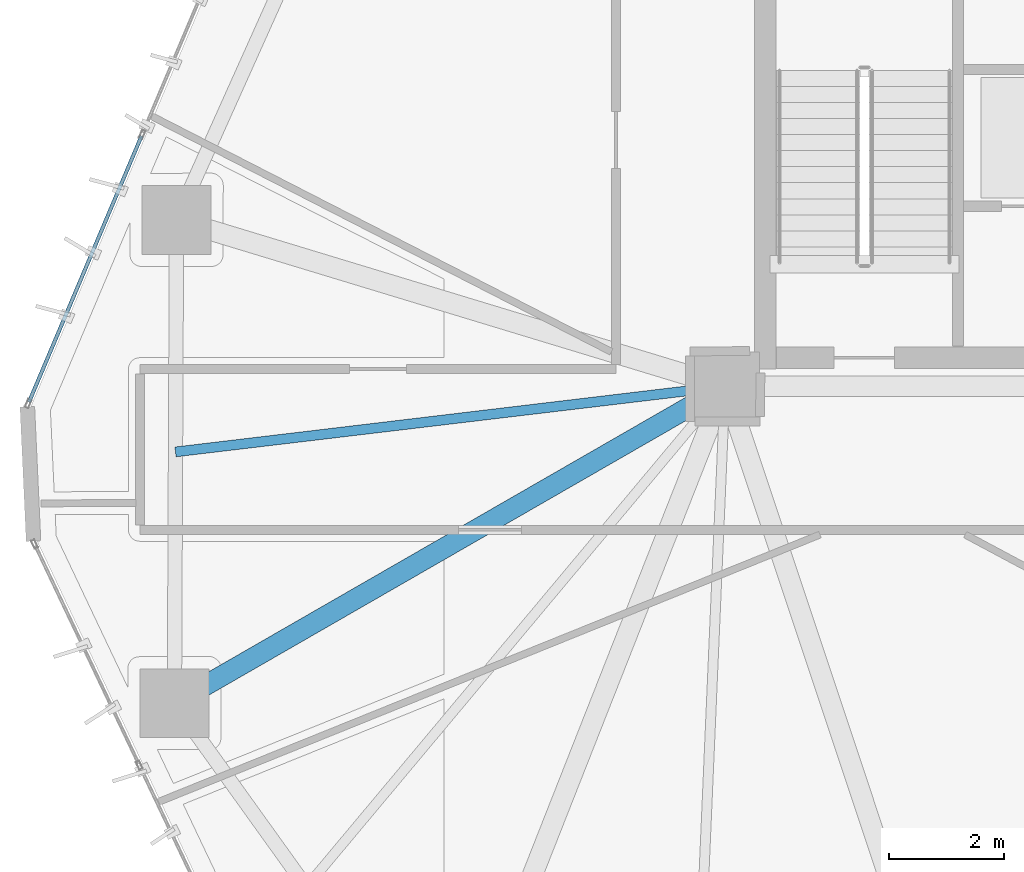
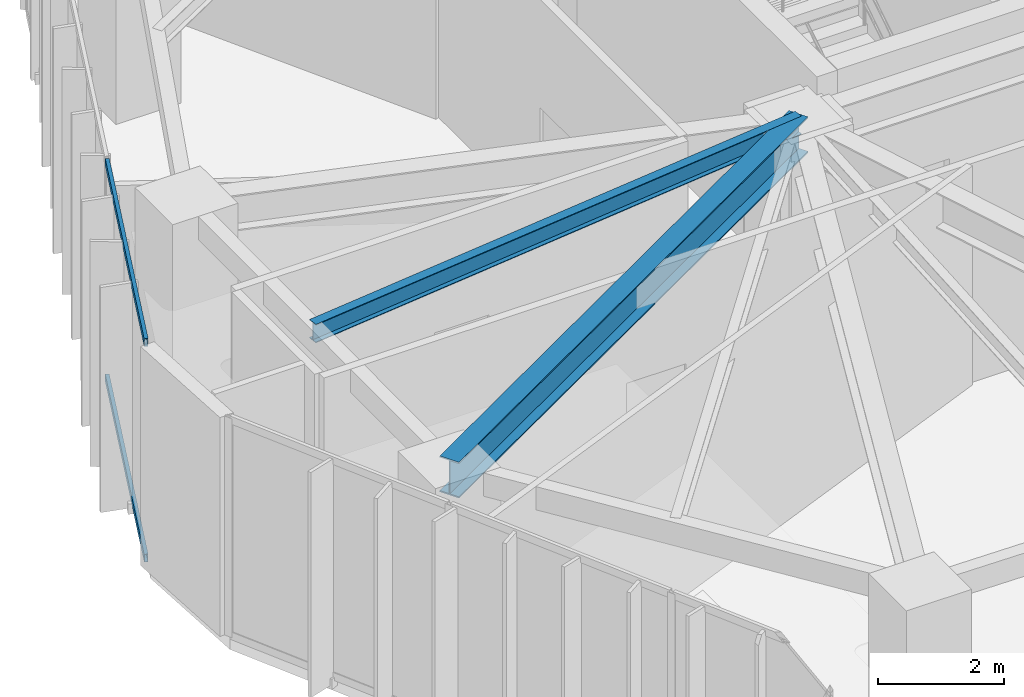
# One storey, part 10 of 28: 2 beams, 2 members, 1 element without a shape of its own.
"""IFC4 building model written with IfcOpenShell, lengths in metres."""

from ifc_helpers import new_model, si_unit, direction, frame, origin, origin_2d, place, context, subcontext, project, spatial, hollow_rectangle, i_section, extrude, source, transform, mapped, material, layer, layer_set, material_profile, profile_set, type_object, type_shapes, element, aggregate, save


model = new_model("IFC4")

# Units and contexts
model_context = context("Model", 3, precision=1e-05, world=origin(), true_north=direction((0.0, 1.0)))
body_context = subcontext(model_context, "Body", "Model", "MODEL_VIEW")
ifc_project = project(units=[si_unit("LENGTHUNIT", "METRE"), si_unit("AREAUNIT", "SQUARE_METRE"), si_unit("VOLUMEUNIT", "CUBIC_METRE"), si_unit("PLANEANGLEUNIT", "RADIAN"), si_unit("MASSUNIT", "GRAM", prefix="KILO")], contexts=[model_context])

# Site, building, storey
site_placement = place(None, origin())
site = spatial("IfcSite", under=ifc_project, at=site_placement, CompositionType="ELEMENT")
building_placement = place(site_placement, origin())
building = spatial("IfcBuilding", under=site, at=building_placement, Name="Talar Marvaseh", CompositionType="ELEMENT")
storey_placement = place(building_placement, frame((0.0, 0.0, 157.800048828125)))
storey = spatial("IfcBuildingStorey", under=building, at=storey_placement, Name="L41", CompositionType="ELEMENT", Elevation=157.800048828125)

# Beams
ifc_material_1 = material(Name="Steel S355", Category="steel")
ifc_material_profile_1 = material_profile(ifc_material_1, i_section(OverallWidth=0.35498046875, OverallDepth=0.695068359375, WebThickness=0.015380859375, FlangeThickness=0.02490234375, at=origin_2d()), Name="W690x217")
ifc_profile_set_1 = profile_set([ifc_material_profile_1], Name="Steel S355")
beam_type_1 = type_object("IfcBeamType", Name="Zone 2 Radial Floor Girder W690x217", PredefinedType="BEAM", material=ifc_profile_set_1)
beam_1_placement = place(storey_placement, frame((9.10107421875, 19.97705078125, 3.90234375), z_axis=(0.866765990926, 0.498715065919, 0.0), x_axis=(-0.498715065919, 0.866765990926, 0.0)))
element("IfcBeam", 1, at=beam_1_placement, inside=storey, type_object=beam_type_1, Name="L41 Zone 2 Radial Floor Girder W690x217", PredefinedType="BEAM", context=body_context, shape_type="SweptSolid", body=[
    extrude(i_section(OverallWidth=0.35498046875, OverallDepth=0.695068359375, WebThickness=0.015380859375, FlangeThickness=0.02490234375, at=origin_2d()), origin(), (0.0, 0.0, 1.0), 11.074462890625),
])
ifc_material_profile_2 = material_profile(ifc_material_1, i_section(OverallWidth=0.172119140625, OverallDepth=0.35791015625, WebThickness=0.0078125, FlangeThickness=0.01318359375, at=origin_2d()), Name="W360x57")
ifc_profile_set_2 = profile_set([ifc_material_profile_2], Name="Steel S355")
beam_type_2 = type_object("IfcBeamType", Name="Zone 2 Secondary Floor Joist W360x57", PredefinedType="JOIST", material=ifc_profile_set_2)
beam_2_placement = place(storey_placement, frame((9.1201171875, 24.35791015625, 4.071044921875), z_axis=(0.992968386245, 0.118379829018, 0.0), x_axis=(-0.118379829018, 0.992968386245, 0.0)))
element("IfcBeam", 2, at=beam_2_placement, inside=storey, type_object=beam_type_2, Name="L41 Zone 2 Secondary Floor Joist W360x57", PredefinedType="JOIST", context=body_context, shape_type="SweptSolid", body=[
    extrude(i_section(OverallWidth=0.172119140625, OverallDepth=0.35791015625, WebThickness=0.0078125, FlangeThickness=0.01318359375, at=origin_2d()), origin(), (0.0, 0.0, 1.0), 9.647705078125),
])

# Curtain wall, members
ifc_material_2 = material(Name="Architectural Aluminium", Category="aluminium")
ifc_layer = layer(ifc_material_2, 0.239990234375)
ifc_layer_set = layer_set([ifc_layer], Name="Architectural Aluminium")
curtain_wall_type = type_object("IfcCurtainWallType", Name="Observation Sky Gallery Structural Glass Wall", PredefinedType="NOTDEFINED", material=ifc_layer_set)
curtain_wall_placement = place(storey_placement, origin())
curtain_wall = element("IfcCurtainWall", 3, at=curtain_wall_placement, inside=storey, type_object=curtain_wall_type, Name="L41 Observation Sky Gallery Structural Glass Wall", PredefinedType="NOTDEFINED")
ifc_material_profile_3 = material_profile(ifc_material_2, hollow_rectangle(XDim=0.06494140625, YDim=0.14990234375, WallThickness=0.00390625, at=origin_2d()), Name="RHS150x65x4")
ifc_profile_set_3 = profile_set([ifc_material_profile_3], Name="Architectural Aluminium")
member_type = type_object("IfcMemberType", Name="Unitised Curtain Wall Slim Transom RHS150x65x4", PredefinedType="USERDEFINED", material=ifc_profile_set_3)
shared_shape = source(origin(), body_context, "Body", "SweptSolid", [
    extrude(hollow_rectangle(XDim=0.06494140625, YDim=0.14990234375, WallThickness=0.00390625, at=origin_2d()), origin(), (0.0, 0.0, 1.0), 5.032470703125),
])
type_shapes(member_type, [shared_shape])
member_1_placement = place(storey_placement, frame((6.56689453125, 25.228515625, 0.032470703125), z_axis=(0.389611503456, 0.920979302902, 0.0), x_axis=(-0.920979302902, 0.389611503456, 0.0)))
member_1 = element("IfcMember", 4, at=member_1_placement, type_object=member_type, Name="CW-OBS transom 1.1", ObjectType="TRANSOM", PredefinedType="USERDEFINED", context=body_context, shape_type="MappedRepresentation", body=[
    mapped(shared_shape, transform((0.0, 0.0, 0.0), x_axis=(1.0, 0.0, 0.0), y_axis=(0.0, 1.0, 0.0), z_axis=(0.0, 0.0, 1.0), scale=1.0)),
])
member_2_placement = place(storey_placement, frame((6.56689453125, 25.228515625, 4.217529296875), z_axis=(0.389611503456, 0.920979302902, 0.0), x_axis=(-0.920979302902, 0.389611503456, 0.0)))
member_2 = element("IfcMember", 5, at=member_2_placement, type_object=member_type, Name="CW-OBS transom 1.2", ObjectType="TRANSOM", PredefinedType="USERDEFINED", context=body_context, shape_type="MappedRepresentation", body=[
    mapped(shared_shape, transform((0.0, 0.0, 0.0), x_axis=(1.0, 0.0, 0.0), y_axis=(0.0, 1.0, 0.0), z_axis=(0.0, 0.0, 1.0), scale=1.0)),
])
aggregate(curtain_wall, [member_1, member_2])

save(model, "model.ifc")
